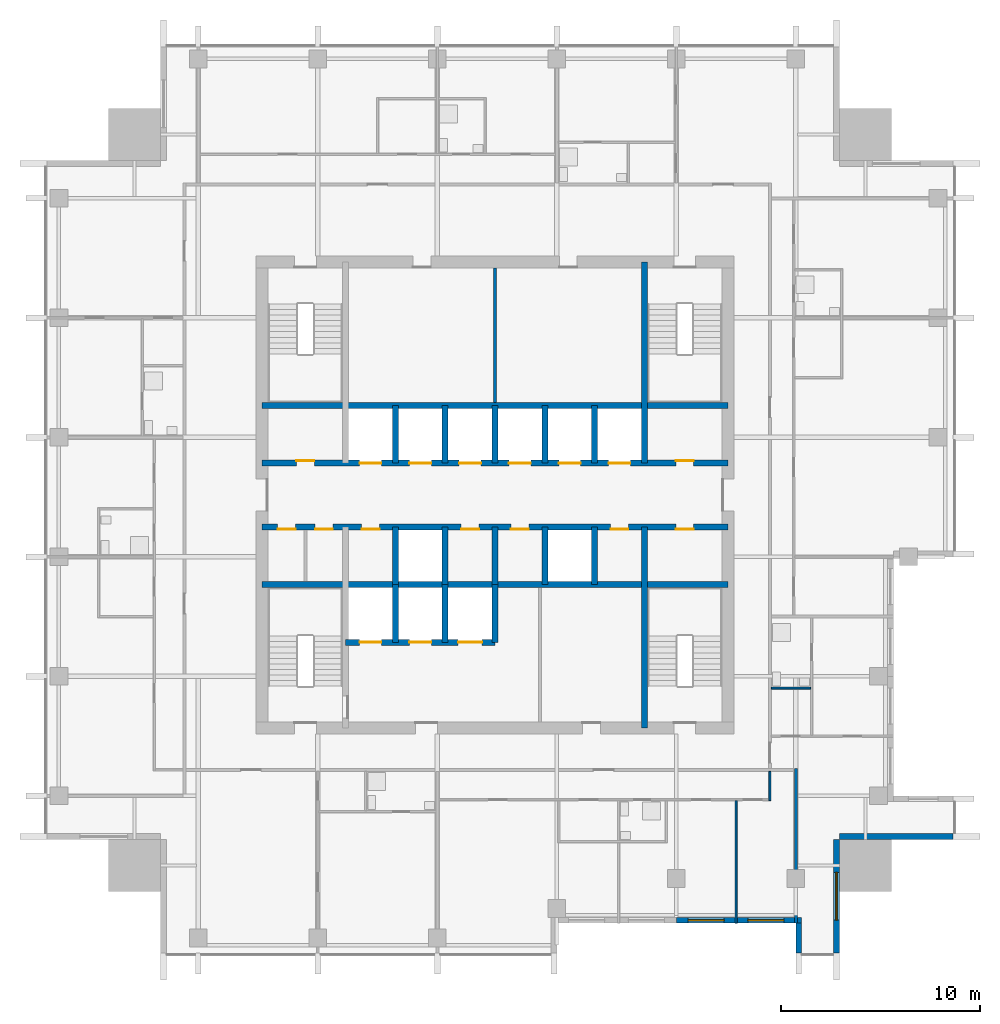
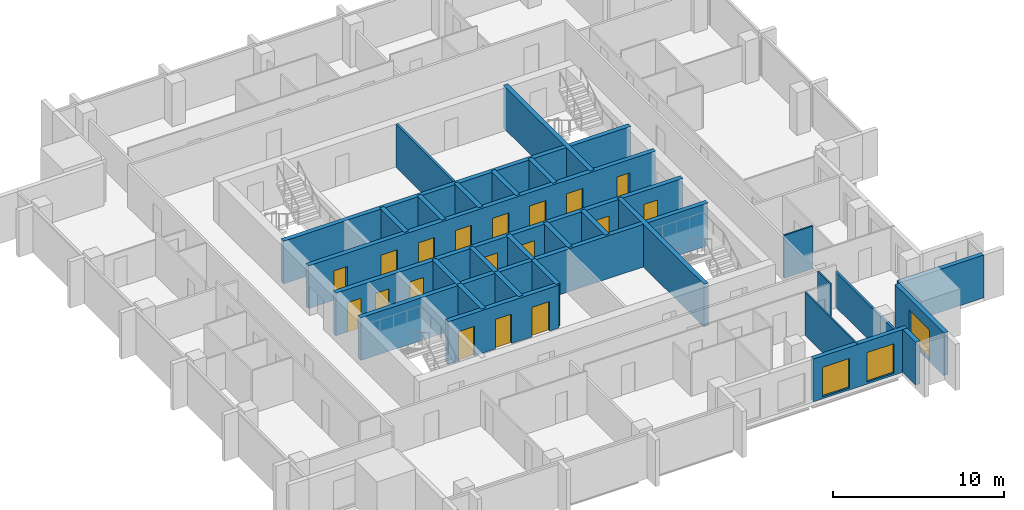
# One storey, part 5 of 10: 29 walls, 18 doors, 3 windows, 21 openings.
"""IFC4 building model written with IfcOpenShell, lengths in metres."""

from ifc_helpers import new_model, si_unit, direction, frame, frame_2d, origin, place, context, subcontext, project, spatial, rectangle, extrude, material, layer, layer_set, type_object, element, fill, save


model = new_model("IFC4")

# Units and contexts
model_context = context("Model", 3, precision=1e-05, world=origin(), true_north=direction((0.0, 1.0)))
body_context = subcontext(model_context, "Body", "Model", "MODEL_VIEW")
ifc_project = project(units=[si_unit("LENGTHUNIT", "METRE"), si_unit("AREAUNIT", "SQUARE_METRE"), si_unit("VOLUMEUNIT", "CUBIC_METRE"), si_unit("PLANEANGLEUNIT", "RADIAN"), si_unit("MASSUNIT", "GRAM", prefix="KILO")], contexts=[model_context])

# Site, building, storey
site_placement = place(None, origin())
site = spatial("IfcSite", under=ifc_project, at=site_placement, CompositionType="ELEMENT")
building_placement = place(site_placement, origin())
building = spatial("IfcBuilding", under=site, at=building_placement, Name="Amberfall Residences", CompositionType="ELEMENT")
storey_placement = place(building_placement, frame((0.0, 0.0, 213.39990234375)))
storey = spatial("IfcBuildingStorey", under=building, at=storey_placement, Name="L57", CompositionType="ELEMENT", Elevation=213.39990234375)

# Wall
ifc_material_1 = material(Name="Pale stone cladding on insulated backing", Category="masonry")
ifc_layer_1 = layer(ifc_material_1, 0.300048828125)
ifc_layer_set_1 = layer_set([ifc_layer_1], Name="Bronze clad wall 300")
wall_type_1 = type_object("IfcWallType", Name="Bronze clad wall 300", PredefinedType="SOLIDWALL", material=ifc_layer_set_1)
wall_1_placement = place(storey_placement, frame((89.75, 24.0, 0.0), z_axis=(0.0, 0.0, 1.0), x_axis=(0.0, -1.0, 0.0)))
element("IfcWall", 1, at=wall_1_placement, inside=storey, type_object=wall_type_1, Name="External wall L57 S", PredefinedType="SOLIDWALL", context=body_context, shape_type="SweptSolid", body=[
    extrude(rectangle(XDim=1.5, YDim=0.300048828125, at=frame_2d((0.75, 0.0))), origin(), (0.0, 0.0, 1.0), 3.050048828125),
])

# Wall, opening, window
wall_2_placement = place(storey_placement, frame((91.64990234375, 22.5, 0.0), z_axis=(0.0, 0.0, 1.0), x_axis=(0.0, 1.0, 0.0)))
wall_2 = element("IfcWall", 2, at=wall_2_placement, inside=storey, type_object=wall_type_1, Name="External wall L57 SE", PredefinedType="SOLIDWALL", context=body_context, shape_type="SweptSolid", body=[
    extrude(rectangle(XDim=5.699951171875, YDim=0.300048828125, at=frame_2d((2.85009765625, 0.0))), origin(), (0.0, 0.0, 1.0), 3.050048828125),
])
opening_1_placement = place(wall_2_placement, frame((1.64990234375, 0.0, 0.14990234375)))
opening_1 = element("IfcOpeningElement", 3, at=opening_1_placement, cuts=wall_2, Name="Opening WN5", PredefinedType="OPENING", context=body_context, shape_type="SweptSolid", body=[
    extrude(rectangle(XDim=2.39990234375, YDim=2.10009765625, at=frame_2d((1.199951171875, 1.050048828125))), frame((0.0, 0.159912109375, 0.0), z_axis=(0.0, -1.0, 0.0), x_axis=(1.0, 0.0, 0.0)), (0.0, 0.0, 1.0), 0.320068359375),
])
ifc_material_2 = material(Name="Bronze aluminium framed glazing", Category="aluminium")
window_type_1 = type_object("IfcWindowType", Name="Glazed opening 2400 x 2100 bronze", PartitioningType="DOUBLE_PANEL_VERTICAL", PredefinedType="WINDOW", material=ifc_material_2)
window_1_placement = place(opening_1_placement, origin())
window_1 = element("IfcWindow", 4, at=window_1_placement, inside=storey, type_object=window_type_1, Name="Window L57 SE", OverallHeight=2.10009765625, OverallWidth=2.39990234375, PartitioningType="DOUBLE_PANEL_VERTICAL", PredefinedType="WINDOW", context=body_context, shape_type="SweptSolid", body=[
    extrude(rectangle(XDim=2.39990234375, YDim=2.10009765625, at=frame_2d((1.199951171875, 1.050048828125))), frame((0.0, 0.030029296875, 0.0), z_axis=(0.0, -1.0, 0.0), x_axis=(1.0, 0.0, 0.0)), (0.0, 0.0, 1.0), 0.06005859375),
])
fill(opening_1, window_1)

# Wall
wall_3_placement = place(storey_placement, frame((91.800048828125, 28.35009765625, 0.0), z_axis=(0.0, 0.0, 1.0), x_axis=(1.0, 0.0, 0.0)))
element("IfcWall", 5, at=wall_3_placement, inside=storey, type_object=wall_type_1, Name="External wall L57 SE", PredefinedType="SOLIDWALL", context=body_context, shape_type="SweptSolid", body=[
    extrude(rectangle(XDim=5.699951171875, YDim=0.300048828125, at=frame_2d((2.85009765625, 0.0))), origin(), (0.0, 0.0, 1.0), 3.050048828125),
])

# Wall, openings, windows
wall_4_placement = place(storey_placement, frame((83.60009765625, 24.14990234375, 0.0), z_axis=(0.0, 0.0, 1.0), x_axis=(1.0, 0.0, 0.0)))
wall_4 = element("IfcWall", 6, at=wall_4_placement, inside=storey, type_object=wall_type_1, Name="Stone wall L57 S", PredefinedType="SOLIDWALL", context=body_context, shape_type="SweptSolid", body=[
    extrude(rectangle(XDim=6.2998046875, YDim=0.300048828125, at=frame_2d((3.14990234375, 0.0))), origin(), (0.0, 0.0, 1.0), 3.050048828125),
])
opening_2_placement = place(wall_4_placement, frame((0.60009765625, 0.0, 0.14990234375)))
opening_2 = element("IfcOpeningElement", 7, at=opening_2_placement, cuts=wall_4, Name="Opening WN6", PredefinedType="OPENING", context=body_context, shape_type="SweptSolid", body=[
    extrude(rectangle(XDim=1.800048828125, YDim=2.10009765625, at=frame_2d((0.89990234375, 1.050048828125))), frame((0.0, 0.159912109375, 0.0), z_axis=(0.0, -1.0, 0.0), x_axis=(1.0, 0.0, 0.0)), (0.0, 0.0, 1.0), 0.320068359375),
])
opening_3_placement = place(wall_4_placement, frame((3.60009765625, 0.0, 0.14990234375)))
opening_3 = element("IfcOpeningElement", 8, at=opening_3_placement, cuts=wall_4, Name="Opening WN6", PredefinedType="OPENING", context=body_context, shape_type="SweptSolid", body=[
    extrude(rectangle(XDim=1.800048828125, YDim=2.10009765625, at=frame_2d((0.89990234375, 1.050048828125))), frame((0.0, 0.159912109375, 0.0), z_axis=(0.0, -1.0, 0.0), x_axis=(1.0, 0.0, 0.0)), (0.0, 0.0, 1.0), 0.320068359375),
])
window_type_2 = type_object("IfcWindowType", Name="Glazed opening 1800 x 2100 bronze", PartitioningType="DOUBLE_PANEL_VERTICAL", PredefinedType="WINDOW", material=ifc_material_2)
window_2_placement = place(opening_2_placement, origin())
window_2 = element("IfcWindow", 9, at=window_2_placement, inside=storey, type_object=window_type_2, Name="Window L57 S", OverallHeight=2.10009765625, OverallWidth=1.800048828125, PartitioningType="DOUBLE_PANEL_VERTICAL", PredefinedType="WINDOW", context=body_context, shape_type="SweptSolid", body=[
    extrude(rectangle(XDim=1.800048828125, YDim=2.10009765625, at=frame_2d((0.89990234375, 1.050048828125))), frame((0.0, 0.030029296875, 0.0), z_axis=(0.0, -1.0, 0.0), x_axis=(1.0, 0.0, 0.0)), (0.0, 0.0, 1.0), 0.06005859375),
])
fill(opening_2, window_2)
window_3_placement = place(opening_3_placement, origin())
window_3 = element("IfcWindow", 10, at=window_3_placement, inside=storey, type_object=window_type_2, Name="Window L57 S", OverallHeight=2.10009765625, OverallWidth=1.800048828125, PartitioningType="DOUBLE_PANEL_VERTICAL", PredefinedType="WINDOW", context=body_context, shape_type="SweptSolid", body=[
    extrude(rectangle(XDim=1.800048828125, YDim=2.10009765625, at=frame_2d((0.89990234375, 1.050048828125))), frame((0.0, 0.030029296875, 0.0), z_axis=(0.0, -1.0, 0.0), x_axis=(1.0, 0.0, 0.0)), (0.0, 0.0, 1.0), 0.06005859375),
])
fill(opening_3, window_3)

# Wall
ifc_material_3 = material(Name="Concrete C55", Category="concrete")
ifc_layer_2 = layer(ifc_material_3, 0.300048828125)
ifc_layer_set_2 = layer_set([ifc_layer_2], Name="Core wall 300 C55")
wall_type_2 = type_object("IfcWallType", Name="Core wall 300 C55", PredefinedType="SHEAR", material=ifc_layer_set_2)
wall_5_placement = place(storey_placement, frame((62.800048828125, 41.0, 0.0), z_axis=(0.0, 0.0, 1.0), x_axis=(1.0, 0.0, 0.0)))
element("IfcWall", 11, at=wall_5_placement, inside=storey, type_object=wall_type_2, Name="Core wall RW8 L57 H75", PredefinedType="SHEAR", context=body_context, shape_type="SweptSolid", body=[
    extrude(rectangle(XDim=23.39990234375, YDim=0.300048828125, at=frame_2d((11.699951171875, 0.0))), origin(), (0.0, 0.0, 1.0), 3.050048828125),
])

# Wall, openings, doors
wall_6_placement = place(storey_placement, frame((62.800048828125, 43.89990234375, 0.0), z_axis=(0.0, 0.0, 1.0), x_axis=(1.0, 0.0, 0.0)))
wall_6 = element("IfcWall", 12, at=wall_6_placement, inside=storey, type_object=wall_type_2, Name="Core wall RW8 L57 H104", PredefinedType="SHEAR", context=body_context, shape_type="SweptSolid", body=[
    extrude(rectangle(XDim=23.39990234375, YDim=0.300048828125, at=frame_2d((11.699951171875, 0.0))), origin(), (0.0, 0.0, 1.0), 3.050048828125),
])
opening_4_placement = place(wall_6_placement, frame((0.78759765625, 0.0, 0.0)))
opening_4 = element("IfcOpeningElement", 13, at=opening_4_placement, cuts=wall_6, Name="Opening RD1", PredefinedType="OPENING", context=body_context, shape_type="SweptSolid", body=[
    extrude(rectangle(XDim=0.89990234375, YDim=2.10009765625, at=frame_2d((0.449951171875, 1.050048828125))), frame((0.0, 0.159912109375, 0.0), z_axis=(0.0, -1.0, 0.0), x_axis=(1.0, 0.0, 0.0)), (0.0, 0.0, 1.0), 0.320068359375),
])
opening_5_placement = place(wall_6_placement, frame((2.66259765625, 0.0, 0.0)))
opening_5 = element("IfcOpeningElement", 14, at=opening_5_placement, cuts=wall_6, Name="Opening RD1", PredefinedType="OPENING", context=body_context, shape_type="SweptSolid", body=[
    extrude(rectangle(XDim=0.89990234375, YDim=2.10009765625, at=frame_2d((0.449951171875, 1.050048828125))), frame((0.0, 0.159912109375, 0.0), z_axis=(0.0, -1.0, 0.0), x_axis=(1.0, 0.0, 0.0)), (0.0, 0.0, 1.0), 0.320068359375),
])
opening_6_placement = place(wall_6_placement, frame((20.77490234375, 0.0, 0.0)))
opening_6 = element("IfcOpeningElement", 15, at=opening_6_placement, cuts=wall_6, Name="Opening RD1", PredefinedType="OPENING", context=body_context, shape_type="SweptSolid", body=[
    extrude(rectangle(XDim=0.89990234375, YDim=2.10009765625, at=frame_2d((0.449951171875, 1.050048828125))), frame((0.0, 0.159912109375, 0.0), z_axis=(0.0, -1.0, 0.0), x_axis=(1.0, 0.0, 0.0)), (0.0, 0.0, 1.0), 0.320068359375),
])
opening_7_placement = place(wall_6_placement, frame((5.0, 0.0, 0.0)))
opening_7 = element("IfcOpeningElement", 16, at=opening_7_placement, cuts=wall_6, Name="Opening RD1", PredefinedType="OPENING", context=body_context, shape_type="SweptSolid", body=[
    extrude(rectangle(XDim=0.89990234375, YDim=2.10009765625, at=frame_2d((0.449951171875, 1.050048828125))), frame((0.0, 0.159912109375, 0.0), z_axis=(0.0, -1.0, 0.0), x_axis=(1.0, 0.0, 0.0)), (0.0, 0.0, 1.0), 0.320068359375),
])
opening_8_placement = place(wall_6_placement, frame((10.0, 0.0, 0.0)))
opening_8 = element("IfcOpeningElement", 17, at=opening_8_placement, cuts=wall_6, Name="Opening RD1", PredefinedType="OPENING", context=body_context, shape_type="SweptSolid", body=[
    extrude(rectangle(XDim=0.89990234375, YDim=2.10009765625, at=frame_2d((0.449951171875, 1.050048828125))), frame((0.0, 0.159912109375, 0.0), z_axis=(0.0, -1.0, 0.0), x_axis=(1.0, 0.0, 0.0)), (0.0, 0.0, 1.0), 0.320068359375),
])
opening_9_placement = place(wall_6_placement, frame((12.5, 0.0, 0.0)))
opening_9 = element("IfcOpeningElement", 18, at=opening_9_placement, cuts=wall_6, Name="Opening RD1", PredefinedType="OPENING", context=body_context, shape_type="SweptSolid", body=[
    extrude(rectangle(XDim=0.89990234375, YDim=2.10009765625, at=frame_2d((0.449951171875, 1.050048828125))), frame((0.0, 0.159912109375, 0.0), z_axis=(0.0, -1.0, 0.0), x_axis=(1.0, 0.0, 0.0)), (0.0, 0.0, 1.0), 0.320068359375),
])
opening_10_placement = place(wall_6_placement, frame((17.5, 0.0, 0.0)))
opening_10 = element("IfcOpeningElement", 19, at=opening_10_placement, cuts=wall_6, Name="Opening RD1", PredefinedType="OPENING", context=body_context, shape_type="SweptSolid", body=[
    extrude(rectangle(XDim=0.89990234375, YDim=2.10009765625, at=frame_2d((0.449951171875, 1.050048828125))), frame((0.0, 0.159912109375, 0.0), z_axis=(0.0, -1.0, 0.0), x_axis=(1.0, 0.0, 0.0)), (0.0, 0.0, 1.0), 0.320068359375),
])
ifc_material_4 = material(Name="Steel fire door set", Category="steel")
door_type_1 = type_object("IfcDoorType", Name="Service room door 900 x 2100", OperationType="SINGLE_SWING_LEFT", PredefinedType="DOOR", material=ifc_material_4)
door_1_placement = place(opening_4_placement, origin())
door_1 = element("IfcDoor", 20, at=door_1_placement, inside=storey, type_object=door_type_1, Name="RD1 L57", OperationType="SINGLE_SWING_LEFT", OverallHeight=2.10009765625, OverallWidth=0.89990234375, PredefinedType="DOOR", context=body_context, shape_type="SweptSolid", body=[
    extrude(rectangle(XDim=0.89990234375, YDim=2.10009765625, at=frame_2d((0.449951171875, 1.050048828125))), frame((0.0, -0.08740234375, 0.0), z_axis=(0.0, -1.0, 0.0), x_axis=(1.0, 0.0, 0.0)), (0.0, 0.0, 1.0), 0.050048828125),
])
fill(opening_4, door_1)
door_2_placement = place(opening_5_placement, origin())
door_2 = element("IfcDoor", 21, at=door_2_placement, inside=storey, type_object=door_type_1, Name="RD1 L57", OperationType="SINGLE_SWING_RIGHT", OverallHeight=2.10009765625, OverallWidth=0.89990234375, PredefinedType="DOOR", context=body_context, shape_type="SweptSolid", body=[
    extrude(rectangle(XDim=0.89990234375, YDim=2.10009765625, at=frame_2d((0.449951171875, 1.050048828125))), frame((0.0, -0.08740234375, 0.0), z_axis=(0.0, -1.0, 0.0), x_axis=(1.0, 0.0, 0.0)), (0.0, 0.0, 1.0), 0.050048828125),
])
fill(opening_5, door_2)
door_3_placement = place(opening_6_placement, origin())
door_3 = element("IfcDoor", 22, at=door_3_placement, inside=storey, type_object=door_type_1, Name="RD1 L57", OperationType="SINGLE_SWING_LEFT", OverallHeight=2.10009765625, OverallWidth=0.89990234375, PredefinedType="DOOR", context=body_context, shape_type="SweptSolid", body=[
    extrude(rectangle(XDim=0.89990234375, YDim=2.10009765625, at=frame_2d((0.449951171875, 1.050048828125))), frame((0.0, -0.08740234375, 0.0), z_axis=(0.0, -1.0, 0.0), x_axis=(1.0, 0.0, 0.0)), (0.0, 0.0, 1.0), 0.050048828125),
])
fill(opening_6, door_3)
door_4_placement = place(opening_7_placement, origin())
door_4 = element("IfcDoor", 23, at=door_4_placement, inside=storey, type_object=door_type_1, Name="RD1 L57", OperationType="SINGLE_SWING_RIGHT", OverallHeight=2.10009765625, OverallWidth=0.89990234375, PredefinedType="DOOR", context=body_context, shape_type="SweptSolid", body=[
    extrude(rectangle(XDim=0.89990234375, YDim=2.10009765625, at=frame_2d((0.449951171875, 1.050048828125))), frame((0.0, -0.08740234375, 0.0), z_axis=(0.0, -1.0, 0.0), x_axis=(1.0, 0.0, 0.0)), (0.0, 0.0, 1.0), 0.050048828125),
])
fill(opening_7, door_4)
door_5_placement = place(opening_8_placement, origin())
door_5 = element("IfcDoor", 24, at=door_5_placement, inside=storey, type_object=door_type_1, Name="RD1 L57", OperationType="SINGLE_SWING_RIGHT", OverallHeight=2.10009765625, OverallWidth=0.89990234375, PredefinedType="DOOR", context=body_context, shape_type="SweptSolid", body=[
    extrude(rectangle(XDim=0.89990234375, YDim=2.10009765625, at=frame_2d((0.449951171875, 1.050048828125))), frame((0.0, -0.08740234375, 0.0), z_axis=(0.0, -1.0, 0.0), x_axis=(1.0, 0.0, 0.0)), (0.0, 0.0, 1.0), 0.050048828125),
])
fill(opening_8, door_5)
door_6_placement = place(opening_9_placement, origin())
door_6 = element("IfcDoor", 25, at=door_6_placement, inside=storey, type_object=door_type_1, Name="RD1 L57", OperationType="SINGLE_SWING_LEFT", OverallHeight=2.10009765625, OverallWidth=0.89990234375, PredefinedType="DOOR", context=body_context, shape_type="SweptSolid", body=[
    extrude(rectangle(XDim=0.89990234375, YDim=2.10009765625, at=frame_2d((0.449951171875, 1.050048828125))), frame((0.0, -0.08740234375, 0.0), z_axis=(0.0, -1.0, 0.0), x_axis=(1.0, 0.0, 0.0)), (0.0, 0.0, 1.0), 0.050048828125),
])
fill(opening_9, door_6)
door_7_placement = place(opening_10_placement, origin())
door_7 = element("IfcDoor", 26, at=door_7_placement, inside=storey, type_object=door_type_1, Name="RD1 L57", OperationType="SINGLE_SWING_LEFT", OverallHeight=2.10009765625, OverallWidth=0.89990234375, PredefinedType="DOOR", context=body_context, shape_type="SweptSolid", body=[
    extrude(rectangle(XDim=0.89990234375, YDim=2.10009765625, at=frame_2d((0.449951171875, 1.050048828125))), frame((0.0, -0.08740234375, 0.0), z_axis=(0.0, -1.0, 0.0), x_axis=(1.0, 0.0, 0.0)), (0.0, 0.0, 1.0), 0.050048828125),
])
fill(opening_10, door_7)

wall_7_placement = place(storey_placement, frame((62.800048828125, 47.10009765625, 0.0), z_axis=(0.0, 0.0, 1.0), x_axis=(1.0, 0.0, 0.0)))
wall_7 = element("IfcWall", 27, at=wall_7_placement, inside=storey, type_object=wall_type_2, Name="Core wall RW8 L57 H136", PredefinedType="SHEAR", context=body_context, shape_type="SweptSolid", body=[
    extrude(rectangle(XDim=23.39990234375, YDim=0.300048828125, at=frame_2d((11.699951171875, 0.0))), origin(), (0.0, 0.0, 1.0), 3.050048828125),
])
opening_11_placement = place(wall_7_placement, frame((1.72509765625, 0.0, 0.0)))
opening_11 = element("IfcOpeningElement", 28, at=opening_11_placement, cuts=wall_7, Name="Opening RD1", PredefinedType="OPENING", context=body_context, shape_type="SweptSolid", body=[
    extrude(rectangle(XDim=0.89990234375, YDim=2.10009765625, at=frame_2d((0.449951171875, 1.050048828125))), frame((0.0, 0.159912109375, 0.0), z_axis=(0.0, -1.0, 0.0), x_axis=(1.0, 0.0, 0.0)), (0.0, 0.0, 1.0), 0.320068359375),
])
opening_12_placement = place(wall_7_placement, frame((20.77490234375, 0.0, 0.0)))
opening_12 = element("IfcOpeningElement", 29, at=opening_12_placement, cuts=wall_7, Name="Opening RD1", PredefinedType="OPENING", context=body_context, shape_type="SweptSolid", body=[
    extrude(rectangle(XDim=0.89990234375, YDim=2.10009765625, at=frame_2d((0.449951171875, 1.050048828125))), frame((0.0, 0.159912109375, 0.0), z_axis=(0.0, -1.0, 0.0), x_axis=(1.0, 0.0, 0.0)), (0.0, 0.0, 1.0), 0.320068359375),
])
opening_13_placement = place(wall_7_placement, frame((4.89990234375, 0.0, 0.0)))
opening_13 = element("IfcOpeningElement", 30, at=opening_13_placement, cuts=wall_7, Name="Opening LD1", PredefinedType="OPENING", context=body_context, shape_type="SweptSolid", body=[
    extrude(rectangle(XDim=1.10009765625, YDim=2.10009765625, at=frame_2d((0.550048828125, 1.050048828125))), frame((0.0, 0.159912109375, 0.0), z_axis=(0.0, -1.0, 0.0), x_axis=(1.0, 0.0, 0.0)), (0.0, 0.0, 1.0), 0.320068359375),
])
opening_14_placement = place(wall_7_placement, frame((7.39990234375, 0.0, 0.0)))
opening_14 = element("IfcOpeningElement", 31, at=opening_14_placement, cuts=wall_7, Name="Opening LD1", PredefinedType="OPENING", context=body_context, shape_type="SweptSolid", body=[
    extrude(rectangle(XDim=1.10009765625, YDim=2.10009765625, at=frame_2d((0.550048828125, 1.050048828125))), frame((0.0, 0.159912109375, 0.0), z_axis=(0.0, -1.0, 0.0), x_axis=(1.0, 0.0, 0.0)), (0.0, 0.0, 1.0), 0.320068359375),
])
opening_15_placement = place(wall_7_placement, frame((9.89990234375, 0.0, 0.0)))
opening_15 = element("IfcOpeningElement", 32, at=opening_15_placement, cuts=wall_7, Name="Opening LD1", PredefinedType="OPENING", context=body_context, shape_type="SweptSolid", body=[
    extrude(rectangle(XDim=1.10009765625, YDim=2.10009765625, at=frame_2d((0.550048828125, 1.050048828125))), frame((0.0, 0.159912109375, 0.0), z_axis=(0.0, -1.0, 0.0), x_axis=(1.0, 0.0, 0.0)), (0.0, 0.0, 1.0), 0.320068359375),
])
opening_16_placement = place(wall_7_placement, frame((12.39990234375, 0.0, 0.0)))
opening_16 = element("IfcOpeningElement", 33, at=opening_16_placement, cuts=wall_7, Name="Opening LD1", PredefinedType="OPENING", context=body_context, shape_type="SweptSolid", body=[
    extrude(rectangle(XDim=1.10009765625, YDim=2.10009765625, at=frame_2d((0.550048828125, 1.050048828125))), frame((0.0, 0.159912109375, 0.0), z_axis=(0.0, -1.0, 0.0), x_axis=(1.0, 0.0, 0.0)), (0.0, 0.0, 1.0), 0.320068359375),
])
opening_17_placement = place(wall_7_placement, frame((14.89990234375, 0.0, 0.0)))
opening_17 = element("IfcOpeningElement", 34, at=opening_17_placement, cuts=wall_7, Name="Opening LD1", PredefinedType="OPENING", context=body_context, shape_type="SweptSolid", body=[
    extrude(rectangle(XDim=1.10009765625, YDim=2.10009765625, at=frame_2d((0.550048828125, 1.050048828125))), frame((0.0, 0.159912109375, 0.0), z_axis=(0.0, -1.0, 0.0), x_axis=(1.0, 0.0, 0.0)), (0.0, 0.0, 1.0), 0.320068359375),
])
opening_18_placement = place(wall_7_placement, frame((17.39990234375, 0.0, 0.0)))
opening_18 = element("IfcOpeningElement", 35, at=opening_18_placement, cuts=wall_7, Name="Opening LD1", PredefinedType="OPENING", context=body_context, shape_type="SweptSolid", body=[
    extrude(rectangle(XDim=1.10009765625, YDim=2.10009765625, at=frame_2d((0.550048828125, 1.050048828125))), frame((0.0, 0.159912109375, 0.0), z_axis=(0.0, -1.0, 0.0), x_axis=(1.0, 0.0, 0.0)), (0.0, 0.0, 1.0), 0.320068359375),
])
door_type_2 = type_object("IfcDoorType", Name="Lift landing door 1100 x 2100", OperationType="DOUBLE_DOOR_SLIDING", PredefinedType="DOOR", material=ifc_material_4)
door_8_placement = place(opening_13_placement, origin())
door_8 = element("IfcDoor", 36, at=door_8_placement, inside=storey, type_object=door_type_2, Name="Landing door HP1 L57", OperationType="DOUBLE_DOOR_SLIDING", OverallHeight=2.10009765625, OverallWidth=1.10009765625, PredefinedType="DOOR", context=body_context, shape_type="SweptSolid", body=[
    extrude(rectangle(XDim=1.10009765625, YDim=2.10009765625, at=frame_2d((0.550048828125, 1.050048828125))), frame((0.0, 0.02490234375, 0.0), z_axis=(0.0, -1.0, 0.0), x_axis=(1.0, 0.0, 0.0)), (0.0, 0.0, 1.0), 0.050048828125),
])
fill(opening_13, door_8)
door_9_placement = place(opening_14_placement, origin())
door_9 = element("IfcDoor", 37, at=door_9_placement, inside=storey, type_object=door_type_2, Name="Landing door HP2 L57", OperationType="DOUBLE_DOOR_SLIDING", OverallHeight=2.10009765625, OverallWidth=1.10009765625, PredefinedType="DOOR", context=body_context, shape_type="SweptSolid", body=[
    extrude(rectangle(XDim=1.10009765625, YDim=2.10009765625, at=frame_2d((0.550048828125, 1.050048828125))), frame((0.0, 0.02490234375, 0.0), z_axis=(0.0, -1.0, 0.0), x_axis=(1.0, 0.0, 0.0)), (0.0, 0.0, 1.0), 0.050048828125),
])
fill(opening_14, door_9)
door_10_placement = place(opening_15_placement, origin())
door_10 = element("IfcDoor", 38, at=door_10_placement, inside=storey, type_object=door_type_2, Name="Landing door HP3 L57", OperationType="DOUBLE_DOOR_SLIDING", OverallHeight=2.10009765625, OverallWidth=1.10009765625, PredefinedType="DOOR", context=body_context, shape_type="SweptSolid", body=[
    extrude(rectangle(XDim=1.10009765625, YDim=2.10009765625, at=frame_2d((0.550048828125, 1.050048828125))), frame((0.0, 0.02490234375, 0.0), z_axis=(0.0, -1.0, 0.0), x_axis=(1.0, 0.0, 0.0)), (0.0, 0.0, 1.0), 0.050048828125),
])
fill(opening_15, door_10)
door_11_placement = place(opening_16_placement, origin())
door_11 = element("IfcDoor", 39, at=door_11_placement, inside=storey, type_object=door_type_2, Name="Landing door HP4 L57", OperationType="DOUBLE_DOOR_SLIDING", OverallHeight=2.10009765625, OverallWidth=1.10009765625, PredefinedType="DOOR", context=body_context, shape_type="SweptSolid", body=[
    extrude(rectangle(XDim=1.10009765625, YDim=2.10009765625, at=frame_2d((0.550048828125, 1.050048828125))), frame((0.0, 0.02490234375, 0.0), z_axis=(0.0, -1.0, 0.0), x_axis=(1.0, 0.0, 0.0)), (0.0, 0.0, 1.0), 0.050048828125),
])
fill(opening_16, door_11)
door_12_placement = place(opening_17_placement, origin())
door_12 = element("IfcDoor", 40, at=door_12_placement, inside=storey, type_object=door_type_2, Name="Landing door HP5 L57", OperationType="DOUBLE_DOOR_SLIDING", OverallHeight=2.10009765625, OverallWidth=1.10009765625, PredefinedType="DOOR", context=body_context, shape_type="SweptSolid", body=[
    extrude(rectangle(XDim=1.10009765625, YDim=2.10009765625, at=frame_2d((0.550048828125, 1.050048828125))), frame((0.0, 0.02490234375, 0.0), z_axis=(0.0, -1.0, 0.0), x_axis=(1.0, 0.0, 0.0)), (0.0, 0.0, 1.0), 0.050048828125),
])
fill(opening_17, door_12)
door_13_placement = place(opening_18_placement, origin())
door_13 = element("IfcDoor", 41, at=door_13_placement, inside=storey, type_object=door_type_2, Name="Landing door HP6 L57", OperationType="DOUBLE_DOOR_SLIDING", OverallHeight=2.10009765625, OverallWidth=1.10009765625, PredefinedType="DOOR", context=body_context, shape_type="SweptSolid", body=[
    extrude(rectangle(XDim=1.10009765625, YDim=2.10009765625, at=frame_2d((0.550048828125, 1.050048828125))), frame((0.0, 0.02490234375, 0.0), z_axis=(0.0, -1.0, 0.0), x_axis=(1.0, 0.0, 0.0)), (0.0, 0.0, 1.0), 0.050048828125),
])
fill(opening_18, door_13)
door_14_placement = place(opening_11_placement, origin())
door_14 = element("IfcDoor", 42, at=door_14_placement, inside=storey, type_object=door_type_1, Name="RD1 L57", OperationType="SINGLE_SWING_LEFT", OverallHeight=2.10009765625, OverallWidth=0.89990234375, PredefinedType="DOOR", context=body_context, shape_type="SweptSolid", body=[
    extrude(rectangle(XDim=0.89990234375, YDim=2.10009765625, at=frame_2d((0.449951171875, 1.050048828125))), frame((0.0, 0.1376953125, 0.0), z_axis=(0.0, -1.0, 0.0), x_axis=(1.0, 0.0, 0.0)), (0.0, 0.0, 1.0), 0.050048828125),
])
fill(opening_11, door_14)
door_15_placement = place(opening_12_placement, origin())
door_15 = element("IfcDoor", 43, at=door_15_placement, inside=storey, type_object=door_type_1, Name="RD1 L57", OperationType="SINGLE_SWING_LEFT", OverallHeight=2.10009765625, OverallWidth=0.89990234375, PredefinedType="DOOR", context=body_context, shape_type="SweptSolid", body=[
    extrude(rectangle(XDim=0.89990234375, YDim=2.10009765625, at=frame_2d((0.449951171875, 1.050048828125))), frame((0.0, 0.1376953125, 0.0), z_axis=(0.0, -1.0, 0.0), x_axis=(1.0, 0.0, 0.0)), (0.0, 0.0, 1.0), 0.050048828125),
])
fill(opening_12, door_15)

# Walls
wall_8_placement = place(storey_placement, frame((62.800048828125, 50.0, 0.0), z_axis=(0.0, 0.0, 1.0), x_axis=(1.0, 0.0, 0.0)))
element("IfcWall", 44, at=wall_8_placement, inside=storey, type_object=wall_type_2, Name="Core wall RW8 L57 H165", PredefinedType="SHEAR", context=body_context, shape_type="SweptSolid", body=[
    extrude(rectangle(XDim=23.39990234375, YDim=0.300048828125, at=frame_2d((11.699951171875, 0.0))), origin(), (0.0, 0.0, 1.0), 3.050048828125),
])
for number, where, z_axis, x_axis, name in (
    (45, (82.0, 33.800048828125, 0.0), (0.0, 0.0, 1.0), (0.0, 1.0, 0.0), "Core wall RW8 L57 V195S"),
    (46, (82.0, 47.10009765625, 0.0), (0.0, 0.0, 1.0), (0.0, 1.0, 0.0), "Core wall RW8 L57 V195N"),
):
    element("IfcWall", number, at=place(storey_placement, frame(where, z_axis=z_axis, x_axis=x_axis)), inside=storey, type_object=wall_type_2, Name=name, PredefinedType="SHEAR", context=body_context, shape_type="SweptSolid", body=[
        extrude(rectangle(XDim=10.099853515625, YDim=0.300048828125, at=frame_2d((5.0498046875, 0.0))), origin(), (0.0, 0.0, 1.0), 3.050048828125),
    ])
for number, where, z_axis, x_axis, name in (
    (47, (69.5, 41.0, 0.0), (0.0, 0.0, 1.0), (0.0, 1.0, 0.0), "Core wall RW8 L57 LPD1"),
    (48, (69.5, 47.10009765625, 0.0), (0.0, 0.0, 1.0), (0.0, 1.0, 0.0), "Core wall RW8 L57 HPD1"),
    (49, (72.0, 41.0, 0.0), (0.0, 0.0, 1.0), (0.0, 1.0, 0.0), "Core wall RW8 L57 LPD2"),
    (50, (72.0, 47.10009765625, 0.0), (0.0, 0.0, 1.0), (0.0, 1.0, 0.0), "Core wall RW8 L57 HPD2"),
    (51, (74.5, 41.0, 0.0), (0.0, 0.0, 1.0), (0.0, 1.0, 0.0), "Core wall RW8 L57 LPD3"),
    (52, (74.5, 47.10009765625, 0.0), (0.0, 0.0, 1.0), (0.0, 1.0, 0.0), "Core wall RW8 L57 HPD3"),
    (53, (77.0, 41.0, 0.0), (0.0, 0.0, 1.0), (0.0, 1.0, 0.0), "Core wall RW8 L57 LPD4"),
    (54, (77.0, 47.10009765625, 0.0), (0.0, 0.0, 1.0), (0.0, 1.0, 0.0), "Core wall RW8 L57 HPD4"),
    (55, (79.5, 41.0, 0.0), (0.0, 0.0, 1.0), (0.0, 1.0, 0.0), "Core wall RW8 L57 LPD5"),
    (56, (79.5, 47.10009765625, 0.0), (0.0, 0.0, 1.0), (0.0, 1.0, 0.0), "Core wall RW8 L57 HPD5"),
):
    element("IfcWall", number, at=place(storey_placement, frame(where, z_axis=z_axis, x_axis=x_axis)), inside=storey, type_object=wall_type_2, Name=name, PredefinedType="SHEAR", context=body_context, shape_type="SweptSolid", body=[
        extrude(rectangle(XDim=2.89990234375, YDim=0.300048828125, at=frame_2d((1.449951171875, 0.0))), origin(), (0.0, 0.0, 1.0), 3.050048828125),
    ])

# Wall, openings, doors
wall_9_placement = place(storey_placement, frame((67.0, 38.10009765625, 0.0), z_axis=(0.0, 0.0, 1.0), x_axis=(1.0, 0.0, 0.0)))
wall_9 = element("IfcWall", 57, at=wall_9_placement, inside=storey, type_object=wall_type_2, Name="Core wall RW8 L57 FFF", PredefinedType="SHEAR", context=body_context, shape_type="SweptSolid", body=[
    extrude(rectangle(XDim=7.5, YDim=0.300048828125, at=frame_2d((3.75, 0.0))), origin(), (0.0, 0.0, 1.0), 3.050048828125),
])
opening_19_placement = place(wall_9_placement, frame((0.699951171875, 0.0, 0.0)))
opening_19 = element("IfcOpeningElement", 58, at=opening_19_placement, cuts=wall_9, Name="Opening LD2", PredefinedType="OPENING", context=body_context, shape_type="SweptSolid", body=[
    extrude(rectangle(XDim=1.10009765625, YDim=2.10009765625, at=frame_2d((0.550048828125, 1.050048828125))), frame((0.0, 0.159912109375, 0.0), z_axis=(0.0, -1.0, 0.0), x_axis=(1.0, 0.0, 0.0)), (0.0, 0.0, 1.0), 0.320068359375),
])
opening_20_placement = place(wall_9_placement, frame((3.199951171875, 0.0, 0.0)))
opening_20 = element("IfcOpeningElement", 59, at=opening_20_placement, cuts=wall_9, Name="Opening LD2", PredefinedType="OPENING", context=body_context, shape_type="SweptSolid", body=[
    extrude(rectangle(XDim=1.10009765625, YDim=2.10009765625, at=frame_2d((0.550048828125, 1.050048828125))), frame((0.0, 0.159912109375, 0.0), z_axis=(0.0, -1.0, 0.0), x_axis=(1.0, 0.0, 0.0)), (0.0, 0.0, 1.0), 0.320068359375),
])
opening_21_placement = place(wall_9_placement, frame((5.64990234375, 0.0, 0.0)))
opening_21 = element("IfcOpeningElement", 60, at=opening_21_placement, cuts=wall_9, Name="Opening LD3", PredefinedType="OPENING", context=body_context, shape_type="SweptSolid", body=[
    extrude(rectangle(XDim=1.199951171875, YDim=2.10009765625, at=frame_2d((0.60009765625, 1.050048828125))), frame((0.0, 0.159912109375, 0.0), z_axis=(0.0, -1.0, 0.0), x_axis=(1.0, 0.0, 0.0)), (0.0, 0.0, 1.0), 0.320068359375),
])
door_type_3 = type_object("IfcDoorType", Name="Firefighting lift landing door 1100 x 2100", OperationType="DOUBLE_DOOR_SLIDING", PredefinedType="DOOR", material=ifc_material_4)
door_16_placement = place(opening_19_placement, origin())
door_16 = element("IfcDoor", 61, at=door_16_placement, inside=storey, type_object=door_type_3, Name="Landing door FF1 L57", OperationType="DOUBLE_DOOR_SLIDING", OverallHeight=2.10009765625, OverallWidth=1.10009765625, PredefinedType="DOOR", context=body_context, shape_type="SweptSolid", body=[
    extrude(rectangle(XDim=1.10009765625, YDim=2.10009765625, at=frame_2d((0.550048828125, 1.050048828125))), frame((0.0, 0.02490234375, 0.0), z_axis=(0.0, -1.0, 0.0), x_axis=(1.0, 0.0, 0.0)), (0.0, 0.0, 1.0), 0.050048828125),
])
fill(opening_19, door_16)
door_17_placement = place(opening_20_placement, origin())
door_17 = element("IfcDoor", 62, at=door_17_placement, inside=storey, type_object=door_type_3, Name="Landing door FF2 L57", OperationType="DOUBLE_DOOR_SLIDING", OverallHeight=2.10009765625, OverallWidth=1.10009765625, PredefinedType="DOOR", context=body_context, shape_type="SweptSolid", body=[
    extrude(rectangle(XDim=1.10009765625, YDim=2.10009765625, at=frame_2d((0.550048828125, 1.050048828125))), frame((0.0, 0.02490234375, 0.0), z_axis=(0.0, -1.0, 0.0), x_axis=(1.0, 0.0, 0.0)), (0.0, 0.0, 1.0), 0.050048828125),
])
fill(opening_20, door_17)
door_type_4 = type_object("IfcDoorType", Name="Service lift landing door 1200 x 2100", OperationType="DOUBLE_DOOR_SLIDING", PredefinedType="DOOR", material=ifc_material_4)
door_18_placement = place(opening_21_placement, origin())
door_18 = element("IfcDoor", 63, at=door_18_placement, inside=storey, type_object=door_type_4, Name="Landing door SL1 L57", OperationType="DOUBLE_DOOR_SLIDING", OverallHeight=2.10009765625, OverallWidth=1.199951171875, PredefinedType="DOOR", context=body_context, shape_type="SweptSolid", body=[
    extrude(rectangle(XDim=1.199951171875, YDim=2.10009765625, at=frame_2d((0.60009765625, 1.050048828125))), frame((0.0, 0.02490234375, 0.0), z_axis=(0.0, -1.0, 0.0), x_axis=(1.0, 0.0, 0.0)), (0.0, 0.0, 1.0), 0.050048828125),
])
fill(opening_21, door_18)

# Walls
for number, where, z_axis, x_axis, name in (
    (64, (69.5, 38.10009765625, 0.0), (0.0, 0.0, 1.0), (0.0, 1.0, 0.0), "Core wall RW8 L57 FFD1"),
    (65, (72.0, 38.10009765625, 0.0), (0.0, 0.0, 1.0), (0.0, 1.0, 0.0), "Core wall RW8 L57 FFD2"),
    (66, (74.5, 38.10009765625, 0.0), (0.0, 0.0, 1.0), (0.0, 1.0, 0.0), "Core wall RW8 L57 FFD3"),
):
    element("IfcWall", number, at=place(storey_placement, frame(where, z_axis=z_axis, x_axis=x_axis)), inside=storey, type_object=wall_type_2, Name=name, PredefinedType="SHEAR", context=body_context, shape_type="SweptSolid", body=[
        extrude(rectangle(XDim=2.89990234375, YDim=0.300048828125, at=frame_2d((1.449951171875, 0.0))), origin(), (0.0, 0.0, 1.0), 3.050048828125),
    ])
ifc_material_5 = material(Name="Gypsum board on metal stud")
ifc_layer_3 = layer(ifc_material_5, 0.10009765625)
ifc_layer_set_3 = layer_set([ifc_layer_3], Name="Flat partition 100")
wall_type_3 = type_object("IfcWallType", Name="Flat partition 100", PredefinedType="PARTITIONING", material=ifc_layer_set_3)
wall_10_placement = place(storey_placement, frame((86.60009765625, 24.0, 0.0), z_axis=(0.0, 0.0, 1.0), x_axis=(0.0, 1.0, 0.0)))
element("IfcWall", 67, at=wall_10_placement, inside=storey, type_object=wall_type_3, Name="Partition 014", PredefinedType="PARTITIONING", context=body_context, shape_type="SweptSolid", body=[
    extrude(rectangle(XDim=6.14990234375, YDim=0.10009765625, at=frame_2d((3.074951171875, 0.0))), origin(), (0.0, 0.0, 1.0), 3.050048828125),
])
wall_11_placement = place(storey_placement, frame((88.300048828125, 30.14990234375, 0.0), z_axis=(0.0, 0.0, 1.0), x_axis=(0.0, 1.0, 0.0)))
element("IfcWall", 68, at=wall_11_placement, inside=storey, type_object=wall_type_3, Name="Partition 015", PredefinedType="PARTITIONING", context=body_context, shape_type="SweptSolid", body=[
    extrude(rectangle(XDim=1.47509765625, YDim=0.10009765625, at=frame_2d((0.737548828125, 0.0))), origin(), (0.0, 0.0, 1.0), 3.050048828125),
])
wall_12_placement = place(storey_placement, frame((88.375, 35.800048828125, 0.0), z_axis=(0.0, 0.0, 1.0), x_axis=(1.0, 0.0, 0.0)))
element("IfcWall", 69, at=wall_12_placement, inside=storey, type_object=wall_type_3, Name="Partition 031", PredefinedType="PARTITIONING", context=body_context, shape_type="SweptSolid", body=[
    extrude(rectangle(XDim=1.97509765625, YDim=0.10009765625, at=frame_2d((0.987548828125, 0.0))), origin(), (0.0, 0.0, 1.0), 3.050048828125),
])
ifc_material_6 = material(Name="Blockwork, plastered", Category="masonry")
ifc_layer_4 = layer(ifc_material_6, 0.14990234375)
ifc_layer_set_4 = layer_set([ifc_layer_4], Name="Flat separating wall 150")
wall_type_4 = type_object("IfcWallType", Name="Flat separating wall 150", PredefinedType="PARTITIONING", material=ifc_layer_set_4)
wall_13_placement = place(storey_placement, frame((89.60009765625, 24.0, 0.0), z_axis=(0.0, 0.0, 1.0), x_axis=(0.0, 1.0, 0.0)))
element("IfcWall", 70, at=wall_13_placement, inside=storey, type_object=wall_type_4, Name="Separating wall 042", PredefinedType="PARTITIONING", context=body_context, shape_type="SweptSolid", body=[
    extrude(rectangle(XDim=7.77490234375, YDim=0.14990234375, at=frame_2d((3.887451171875, 0.0))), origin(), (0.0, 0.0, 1.0), 2.51611328125),
])
ifc_material_7 = material(Name="Concrete blockwork", Category="masonry")
ifc_layer_5 = layer(ifc_material_7, 0.14990234375)
ifc_layer_set_5 = layer_set([ifc_layer_5], Name="Riser wall 150")
wall_type_5 = type_object("IfcWallType", Name="Riser wall 150", PredefinedType="PLUMBINGWALL", material=ifc_layer_set_5)
wall_14_placement = place(storey_placement, frame((74.5, 50.14990234375, 0.0), z_axis=(0.0, 0.0, 1.0), x_axis=(0.0, 1.0, 0.0)))
element("IfcWall", 71, at=wall_14_placement, inside=storey, type_object=wall_type_5, Name="L57 core wall N0", PredefinedType="PLUMBINGWALL", context=body_context, shape_type="SweptSolid", body=[
    extrude(rectangle(XDim=6.75, YDim=0.14990234375, at=frame_2d((3.375, 0.0))), origin(), (0.0, 0.0, 1.0), 3.050048828125),
])

save(model, "model.ifc")
